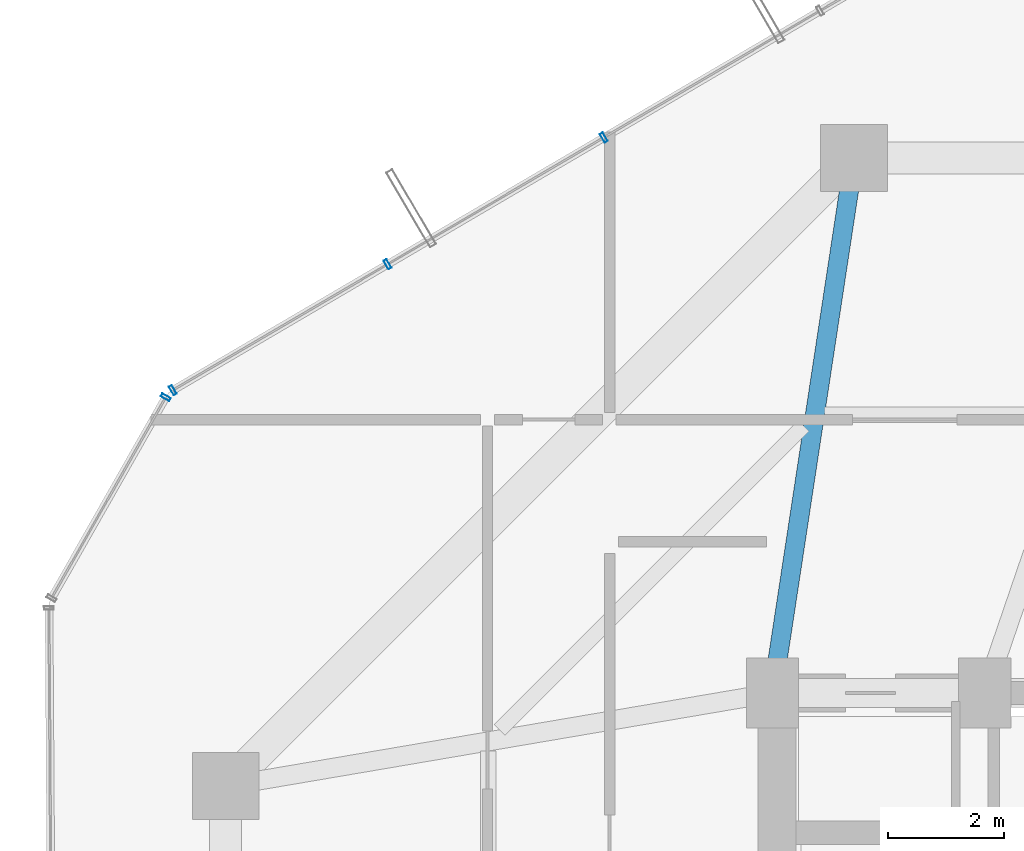
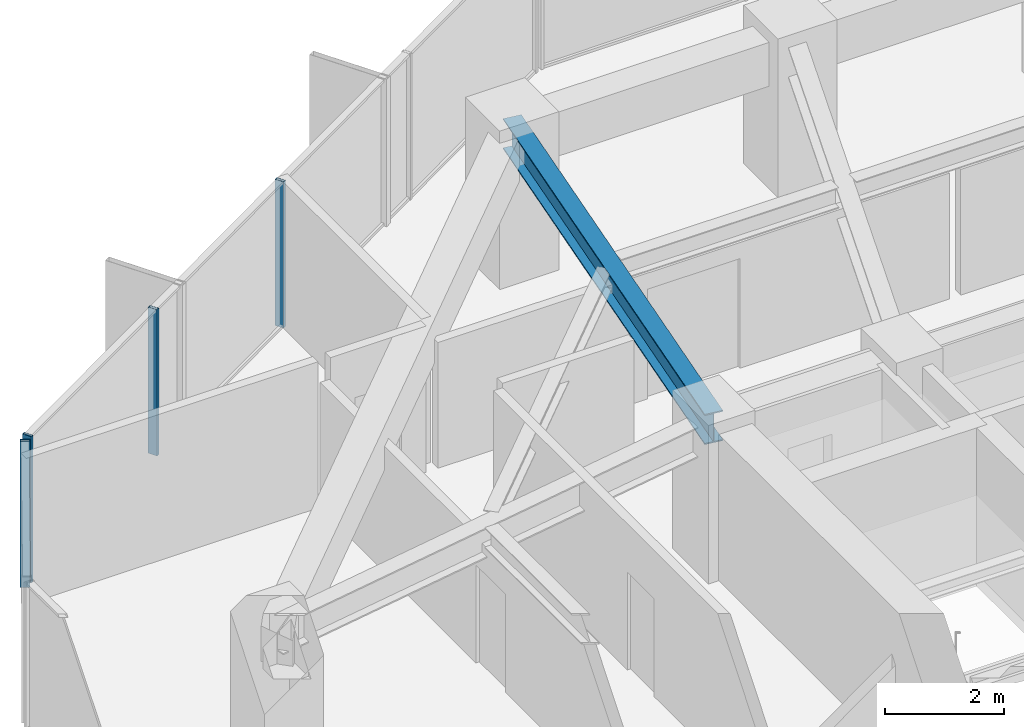
# One storey, part 17 of 30: 4 members, 1 beam, 2 elements without a shape of their own.
"""IFC4 building model written with IfcOpenShell, lengths in metres."""

from ifc_helpers import new_model, si_unit, direction, frame, origin, origin_2d, place, context, subcontext, project, spatial, hollow_rectangle, i_section, extrude, source, transform, mapped, material, layer, layer_set, material_profile, profile_set, type_object, element, aggregate, save


model = new_model("IFC4")

# Units and contexts
model_context = context("Model", 3, precision=1e-05, world=origin(), true_north=direction((0.0, 1.0)))
body_context = subcontext(model_context, "Body", "Model", "MODEL_VIEW")
ifc_project = project(units=[si_unit("LENGTHUNIT", "METRE"), si_unit("AREAUNIT", "SQUARE_METRE"), si_unit("VOLUMEUNIT", "CUBIC_METRE"), si_unit("PLANEANGLEUNIT", "RADIAN"), si_unit("MASSUNIT", "GRAM", prefix="KILO")], contexts=[model_context])

# Site, building, storey
site_placement = place(None, origin())
site = spatial("IfcSite", under=ifc_project, at=site_placement, CompositionType="ELEMENT")
building_placement = place(site_placement, origin())
building = spatial("IfcBuilding", under=site, at=building_placement, Name="Veraguas Prism Commons", CompositionType="ELEMENT")
storey_placement = place(building_placement, frame((0.0, 0.0, 129.5)))
storey = spatial("IfcBuildingStorey", under=building, at=storey_placement, Name="L36", CompositionType="ELEMENT", Elevation=129.5)

# Beam
ifc_material_1 = material(Name="Steel ASTM A992 Grade 50", Category="steel")
ifc_material_profile_1 = material_profile(ifc_material_1, i_section(OverallWidth=0.327880859375, OverallDepth=0.6220703125, WebThickness=0.015380859375, FlangeThickness=0.0244140625, at=origin_2d()), Name="W610X195")
ifc_profile_set_1 = profile_set([ifc_material_profile_1], Name="Steel ASTM A992 Grade 50")
beam_type = type_object("IfcBeamType", Name="Zone 2 Radial Girder W610x195", PredefinedType="BEAM", material=ifc_profile_set_1)
beam_placement = place(storey_placement, frame((18.60009765625, 40.199951171875, 2.68896484375), z_axis=(-0.150458162136, -0.98861637729, 0.0), x_axis=(0.98861637729, -0.150458162136, 0.0)))
element("IfcBeam", 1, at=beam_placement, inside=storey, type_object=beam_type, Name="Radial Floor Girder L36-RD06", PredefinedType="BEAM", context=body_context, shape_type="SweptSolid", body=[
    extrude(i_section(OverallWidth=0.327880859375, OverallDepth=0.6220703125, WebThickness=0.015380859375, FlangeThickness=0.0244140625, at=origin_2d()), origin(), (0.0, 0.0, 1.0), 9.305908203125),
])

# Curtain wall, members
ifc_material_2 = material(Name="Anodised aluminium EN AW-6063 T6", Category="aluminium")
ifc_layer = layer(ifc_material_2, 0.169921875, Name="Unitised Flush Curtain Wall Zone 2", Category="aluminium")
ifc_layer_set = layer_set([ifc_layer], Name="Anodised aluminium EN AW-6063 T6")
curtain_wall_type = type_object("IfcCurtainWallType", Name="Unitised Flush Curtain Wall Zone 2", PredefinedType="NOTDEFINED", material=ifc_layer_set)
curtain_wall_1_placement = place(storey_placement, origin())
curtain_wall_1 = element("IfcCurtainWall", 2, at=curtain_wall_1_placement, inside=storey, type_object=curtain_wall_type, Name="Tower Facade Curtain Wall L36-F2", PredefinedType="NOTDEFINED")
ifc_material_profile_2 = material_profile(ifc_material_2, hollow_rectangle(XDim=0.06005859375, YDim=0.169921875, WallThickness=0.00390625, at=origin_2d()), Name="AL60X170X4")
ifc_profile_set_2 = profile_set([ifc_material_profile_2], Name="Anodised aluminium EN AW-6063 T6")
member_type = type_object("IfcMemberType", Name="Curtain Wall Mullion Lower AL 60x170x4", PredefinedType="MULLION", material=ifc_profile_set_2)
shared_shape = source(origin(), body_context, "Body", "SweptSolid", [
    extrude(hollow_rectangle(XDim=0.06005859375, YDim=0.169921875, WallThickness=0.00390625, at=origin_2d()), origin(), (0.0, 0.0, 1.0), 3.0),
])
member_1_placement = place(storey_placement, frame((14.298828125, 40.548583984375, 0.0), z_axis=(0.0, 0.0, 1.0), x_axis=(-0.86268584238, -0.505740187604, 0.0)))
member_1 = element("IfcMember", 3, at=member_1_placement, type_object=member_type, Name="CW-Z2 Mullion 3", PredefinedType="MULLION", context=body_context, shape_type="MappedRepresentation", body=[
    mapped(shared_shape, transform((0.0, 0.0, 0.0), scale=1.0)),
])
member_2_placement = place(storey_placement, frame((10.581787109375, 38.36962890625, 0.0), z_axis=(0.0, 0.0, 1.0), x_axis=(-0.86268584238, -0.505740187604, 0.0)))
member_2 = element("IfcMember", 4, at=member_2_placement, type_object=member_type, Name="CW-Z2 Mullion 4", PredefinedType="MULLION", context=body_context, shape_type="MappedRepresentation", body=[
    mapped(shared_shape, transform((0.0, 0.0, 0.0), scale=1.0)),
])
member_3_placement = place(storey_placement, frame((6.890869140625, 36.20556640625, 0.0), z_axis=(0.0, 0.0, 1.0), x_axis=(-0.86268584238, -0.505740187604, 0.0)))
member_3 = element("IfcMember", 5, at=member_3_placement, type_object=member_type, Name="CW-Z2 Mullion 5", PredefinedType="MULLION", context=body_context, shape_type="MappedRepresentation", body=[
    mapped(shared_shape, transform((0.0, 0.0, 0.0), scale=1.0)),
])
aggregate(curtain_wall_1, [member_1, member_2, member_3])

# Curtain wall, member
curtain_wall_2_placement = place(storey_placement, origin())
curtain_wall_2 = element("IfcCurtainWall", 6, at=curtain_wall_2_placement, inside=storey, type_object=curtain_wall_type, Name="Chamfer Curtain Wall L36-C3", PredefinedType="NOTDEFINED")
member_4_placement = place(storey_placement, frame((6.7685546875, 36.08203125, 0.0), z_axis=(0.0, 0.0, 1.0), x_axis=(-0.494243830218, -0.869323320918, 0.0)))
member_4 = element("IfcMember", 7, at=member_4_placement, type_object=member_type, Name="CW-Z2 Mullion 1", PredefinedType="MULLION", context=body_context, shape_type="MappedRepresentation", body=[
    mapped(shared_shape, transform((0.0, 0.0, 0.0), scale=1.0)),
])
aggregate(curtain_wall_2, [member_4])

save(model, "model.ifc")
